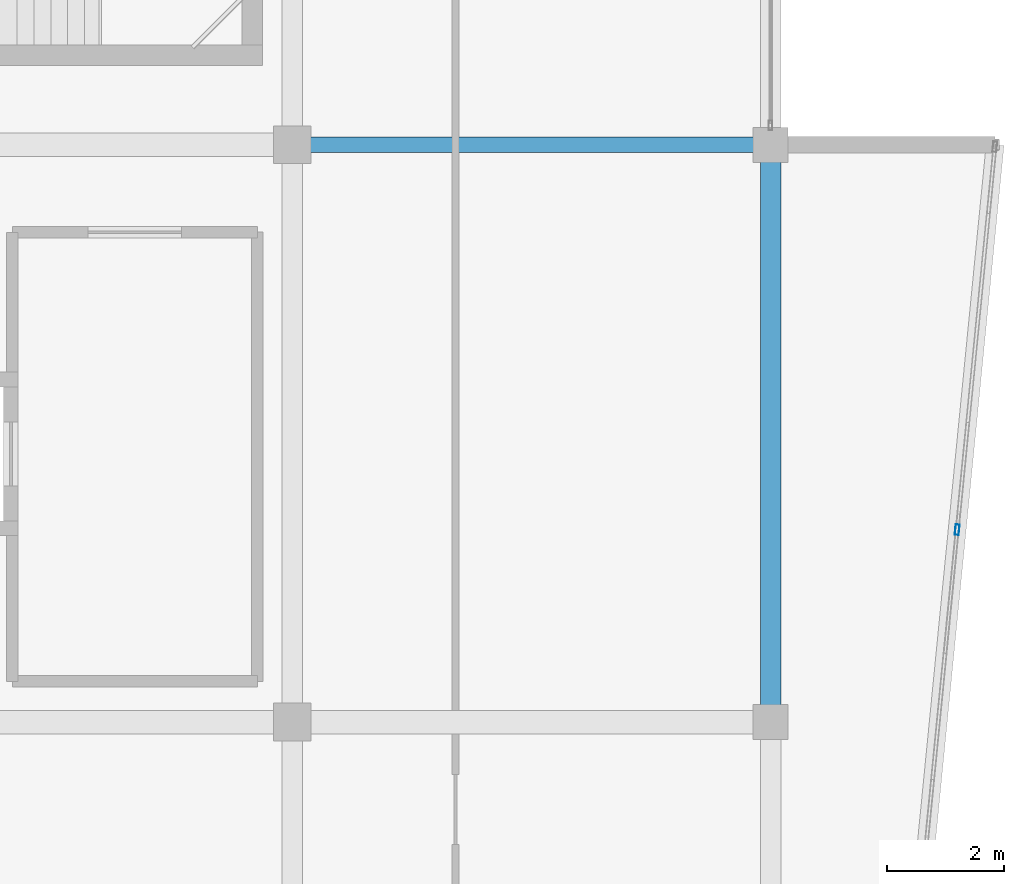
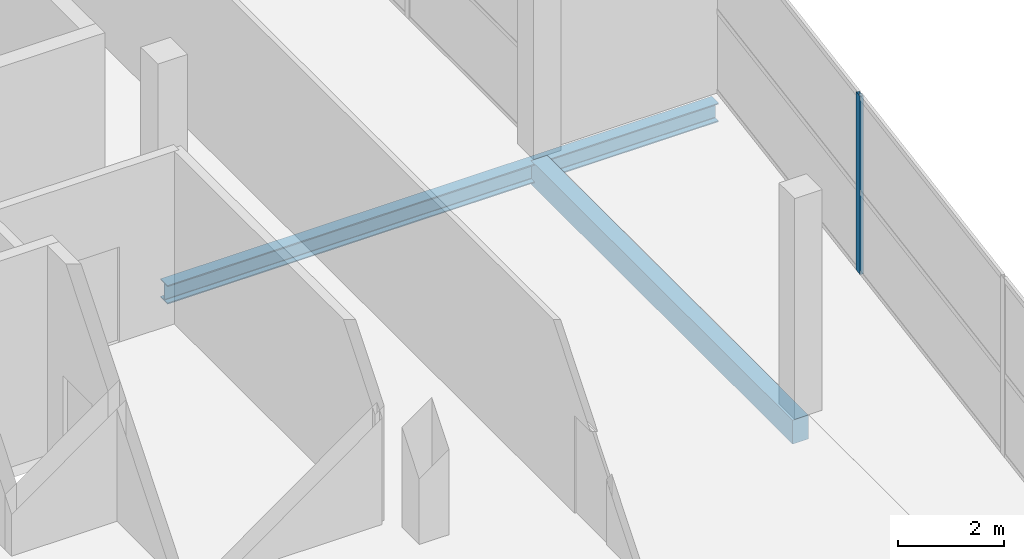
# One storey, part 19 of 66: 2 beams, 1 member, 1 element without a shape of its own.
"""IFC4 building model written with IfcOpenShell, lengths in metres."""

from ifc_helpers import new_model, si_unit, direction, frame, origin, origin_2d, place, context, subcontext, project, spatial, rectangle, hollow_rectangle, i_section, extrude, material, layer, layer_set, material_profile, profile_set, type_object, element, aggregate, save


model = new_model("IFC4")

# Units and contexts
model_context = context("Model", 3, precision=1e-05, world=origin(), true_north=direction((0.0, 1.0)))
body_context = subcontext(model_context, "Body", "Model", "MODEL_VIEW")
ifc_project = project(units=[si_unit("LENGTHUNIT", "METRE"), si_unit("AREAUNIT", "SQUARE_METRE"), si_unit("VOLUMEUNIT", "CUBIC_METRE"), si_unit("PLANEANGLEUNIT", "RADIAN"), si_unit("MASSUNIT", "GRAM", prefix="KILO")], contexts=[model_context])

# Site, building, storey
site_placement = place(None, origin())
site = spatial("IfcSite", under=ifc_project, at=site_placement, CompositionType="ELEMENT")
building_placement = place(site_placement, origin())
building = spatial("IfcBuilding", under=site, at=building_placement, Name="Sillaruma Civic Art Gallery", CompositionType="ELEMENT")
storey_placement = place(building_placement, frame((0.0, 0.0, 57.1201171875)))
storey = spatial("IfcBuildingStorey", under=building, at=storey_placement, Name="L11", CompositionType="ELEMENT", Elevation=57.1201171875)

# Beams
ifc_material_1 = material(Name="Structural Steel ASTM A992 Gr.50", Category="steel")
ifc_material_profile_1 = material_profile(ifc_material_1, i_section(OverallWidth=0.264892578125, OverallDepth=0.430908203125, WebThickness=0.014892578125, FlangeThickness=0.02490234375, FilletRadius=0.012939453125, at=origin_2d()), Name="W410x149")
ifc_profile_set_1 = profile_set([ifc_material_profile_1], Name="Structural Steel ASTM A992 Gr.50")
beam_type_1 = type_object("IfcBeamType", Name="BM-PROW-W410x149", PredefinedType="BEAM", material=ifc_profile_set_1)
beam_1_placement = place(storey_placement, frame((106.199951171875, 49.5, -0.465576171875), z_axis=(1.0, 0.0, 0.0), x_axis=(0.0, 1.0, 0.0)))
element("IfcBeam", 1, at=beam_1_placement, inside=storey, type_object=beam_type_1, Name="Back-Spanned Prow Beam (PRW-L11-E-FLR-N)", PredefinedType="BEAM", context=body_context, shape_type="SweptSolid", body=[
    extrude(i_section(OverallWidth=0.264892578125, OverallDepth=0.430908203125, WebThickness=0.014892578125, FlangeThickness=0.02490234375, FilletRadius=0.012939453125, at=origin_2d()), origin(), (0.0, 0.0, 1.0), 12.050048828125),
])
ifc_material_2 = material(Name="Concrete H35 (35 MPa)", Category="concrete")
ifc_material_profile_2 = material_profile(ifc_material_2, rectangle(XDim=0.35009765625, YDim=0.550048828125, at=origin_2d()), Name="RCB350x550")
ifc_profile_set_2 = profile_set([ifc_material_profile_2], Name="Concrete H35 (35 MPa)")
beam_type_2 = type_object("IfcBeamType", Name="BM-SPANDREL-RCB350x550", PredefinedType="SPANDREL", material=ifc_profile_set_2)
beam_2_placement = place(storey_placement, frame((114.39990234375, 39.60009765625, -0.525146484375), z_axis=(0.0, 1.0, 0.0), x_axis=(-1.0, 0.0, 0.0)))
element("IfcBeam", 2, at=beam_2_placement, inside=storey, type_object=beam_type_2, Name="Beam BS-04 (L10:N:5-6)", PredefinedType="SPANDREL", context=body_context, shape_type="SweptSolid", body=[
    extrude(rectangle(XDim=0.35009765625, YDim=0.550048828125, at=origin_2d()), origin(), (0.0, 0.0, 1.0), 9.89990234375),
])

# Curtain wall, member
ifc_material_3 = material(Name="Thermally Broken Extruded Aluminium 6063-T6", Category="aluminium")
ifc_layer = layer(ifc_material_3, 0.179931640625, Name="Thermally Broken Extruded Aluminium 6063-T6")
ifc_layer_set = layer_set([ifc_layer], Name="Thermally Broken Extruded Aluminium 6063-T6")
curtain_wall_type = type_object("IfcCurtainWallType", Name="CW-UNI-88", PredefinedType="NOTDEFINED", material=ifc_layer_set)
curtain_wall_placement = place(storey_placement, origin())
curtain_wall = element("IfcCurtainWall", 3, at=curtain_wall_placement, inside=storey, type_object=curtain_wall_type, Name="Unitised Curtain Wall CW-88 (CW-PRW-L11-E-ANG)", PredefinedType="NOTDEFINED")
ifc_material_profile_3 = material_profile(ifc_material_3, hollow_rectangle(XDim=0.070068359375, YDim=0.179931640625, WallThickness=0.00390625, at=origin_2d()), Name="CWM70x180")
ifc_profile_set_3 = profile_set([ifc_material_profile_3], Name="Thermally Broken Extruded Aluminium 6063-T6")
member_type = type_object("IfcMemberType", Name="MEM-MUL-CWM70x180", PredefinedType="MULLION", material=ifc_profile_set_3)
member_placement = place(storey_placement, frame((117.60009765625, 42.89990234375, 0.0), z_axis=(0.0, 0.0, 1.0), x_axis=(-0.99518536297, 0.098010679679, 0.0)))
member = element("IfcMember", 4, at=member_placement, type_object=member_type, Name="CW-88 mullion 3", PredefinedType="MULLION", context=body_context, shape_type="SweptSolid", body=[
    extrude(hollow_rectangle(XDim=0.070068359375, YDim=0.179931640625, WallThickness=0.00390625, at=origin_2d()), origin(), (0.0, 0.0, 1.0), 4.119873046875),
])
aggregate(curtain_wall, [member])

save(model, "model.ifc")
